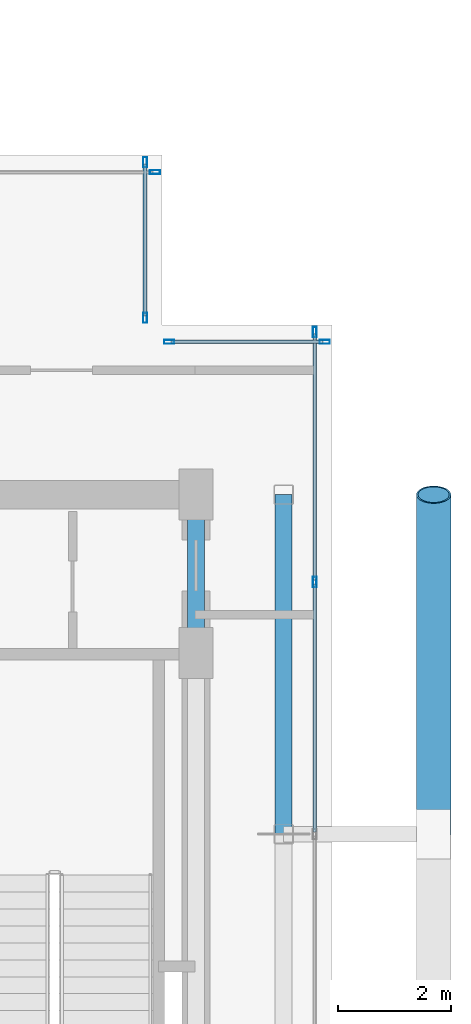
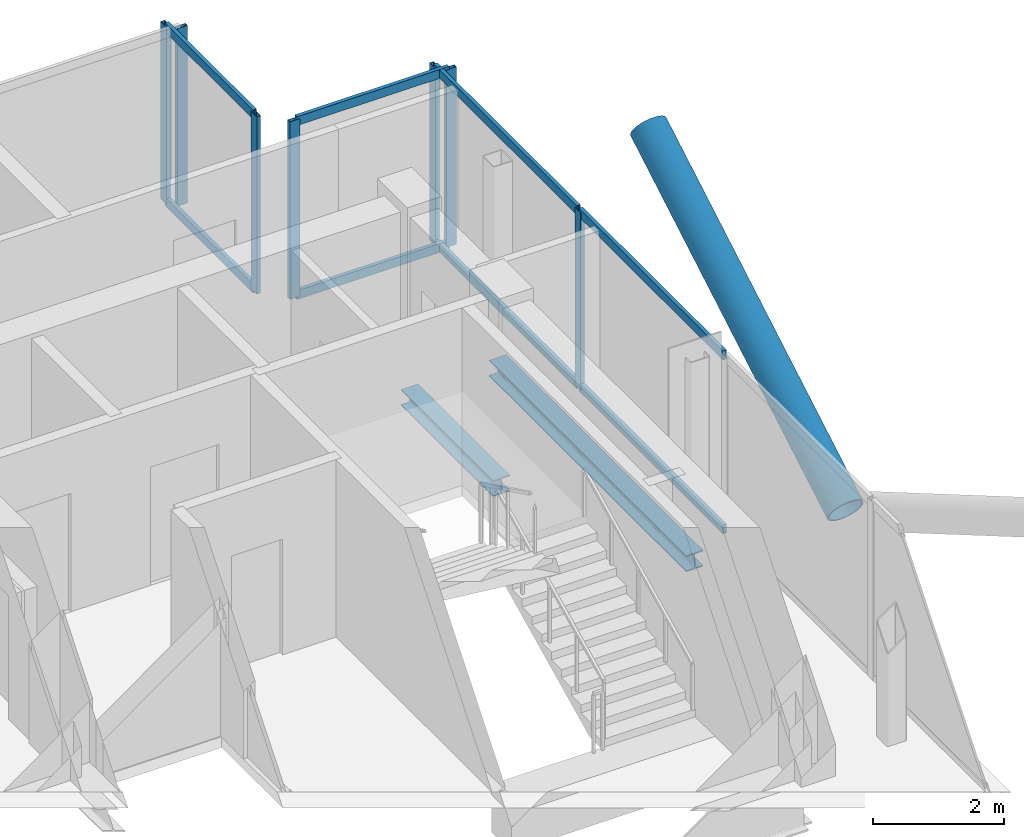
# One storey, part 12 of 18: 16 members, 2 beams, 4 elements without a shape of their own.
"""IFC4 building model written with IfcOpenShell, lengths in metres."""

from ifc_helpers import new_model, si_unit, direction, frame, origin, origin_2d, place, context, subcontext, project, spatial, hollow_rectangle, hollow_circle, i_section, extrude, material, layer, layer_set, material_profile, profile_set, type_object, element, aggregate, save


model = new_model("IFC4")

# Units and contexts
model_context = context("Model", 3, precision=1e-05, world=origin(), true_north=direction((0.0, 1.0)))
body_context = subcontext(model_context, "Body", "Model", "MODEL_VIEW")
ifc_project = project(units=[si_unit("LENGTHUNIT", "METRE"), si_unit("AREAUNIT", "SQUARE_METRE"), si_unit("VOLUMEUNIT", "CUBIC_METRE"), si_unit("PLANEANGLEUNIT", "RADIAN"), si_unit("MASSUNIT", "GRAM", prefix="KILO"), si_unit("THERMODYNAMICTEMPERATUREUNIT", "KELVIN"), si_unit("POWERUNIT", "WATT")], contexts=[model_context])

# Site, building, storey
site_placement = place(None, origin())
site = spatial("IfcSite", under=ifc_project, at=site_placement, CompositionType="ELEMENT")
building_placement = place(site_placement, origin())
building = spatial("IfcBuilding", under=site, at=building_placement, Name="Svarakhadi Broadcast Tower", CompositionType="ELEMENT")
storey_placement = place(building_placement, frame((0.0, 0.0, 288.699951171875)))
storey = spatial("IfcBuildingStorey", under=building, at=storey_placement, Name="L73", CompositionType="ELEMENT", Elevation=288.699951171875)

# Curtain wall, member
ifc_material_1 = material(Name="Anodised Bronze Aluminium AA 6063-T6", Category="aluminium")
ifc_layer = layer(ifc_material_1, 0.179931640625)
ifc_layer_set = layer_set([ifc_layer], Name="Anodised Bronze Aluminium AA 6063-T6")
curtain_wall_type = type_object("IfcCurtainWallType", Name="CW_Sys_05", PredefinedType="NOTDEFINED", material=ifc_layer_set)
curtain_wall_1_placement = place(storey_placement, origin())
curtain_wall_1 = element("IfcCurtainWall", 1, at=curtain_wall_1_placement, inside=storey, type_object=curtain_wall_type, Name="L73 Unitised Facade Curtain Wall 09", PredefinedType="NOTDEFINED")
ifc_material_profile_1 = material_profile(ifc_material_1, hollow_rectangle(XDim=0.070068359375, YDim=0.179931640625, WallThickness=0.005615234375, at=origin_2d()), Name="ALU MULLION 180x70x6")
ifc_profile_set_1 = profile_set([ifc_material_profile_1], Name="Anodised Bronze Aluminium AA 6063-T6")
member_type_1 = type_object("IfcMemberType", Name="CW_Sys_05_Mul", PredefinedType="MULLION", material=ifc_profile_set_1)
member_1_placement = place(storey_placement, frame((32.875, 23.699951171875, 0.0), z_axis=(0.0, 0.0, 1.0), x_axis=(0.0, 1.0, 0.0)))
member_1 = element("IfcMember", 2, at=member_1_placement, type_object=member_type_1, Name="CW-05 mullion 2", PredefinedType="MULLION", context=body_context, shape_type="SweptSolid", body=[
    extrude(hollow_rectangle(XDim=0.070068359375, YDim=0.179931640625, WallThickness=0.005615234375, at=origin_2d()), origin(), (0.0, 0.0, 1.0), 3.300048828125),
])
aggregate(curtain_wall_1, [member_1])

# Curtain wall, members
curtain_wall_2_placement = place(storey_placement, origin())
curtain_wall_2 = element("IfcCurtainWall", 3, at=curtain_wall_2_placement, inside=storey, type_object=curtain_wall_type, Name="L73 Unitised Facade Curtain Wall 10", PredefinedType="NOTDEFINED")
member_2_placement = place(storey_placement, frame((32.699951171875, 23.875, 0.0), z_axis=(0.0, 0.0, 1.0), x_axis=(1.0, 0.0, 0.0)))
member_2 = element("IfcMember", 4, at=member_2_placement, type_object=member_type_1, Name="CW-05 mullion 1", PredefinedType="MULLION", context=body_context, shape_type="SweptSolid", body=[
    extrude(hollow_rectangle(XDim=0.070068359375, YDim=0.179931640625, WallThickness=0.005615234375, at=origin_2d()), origin(), (0.0, 0.0, 1.0), 3.300048828125),
])
member_3_placement = place(storey_placement, frame((32.699951171875, 21.125, 0.0), z_axis=(0.0, 0.0, 1.0), x_axis=(1.0, 0.0, 0.0)))
member_3 = element("IfcMember", 5, at=member_3_placement, type_object=member_type_1, Name="CW-05 mullion 2", PredefinedType="MULLION", context=body_context, shape_type="SweptSolid", body=[
    extrude(hollow_rectangle(XDim=0.070068359375, YDim=0.179931640625, WallThickness=0.005615234375, at=origin_2d()), origin(), (0.0, 0.0, 1.0), 3.300048828125),
])

curtain_wall_3_placement = place(storey_placement, origin())
curtain_wall_3 = element("IfcCurtainWall", 6, at=curtain_wall_3_placement, inside=storey, type_object=curtain_wall_type, Name="L73 Unitised Facade Curtain Wall 11", PredefinedType="NOTDEFINED")
member_4_placement = place(storey_placement, frame((33.125, 20.699951171875, 0.0), z_axis=(0.0, 0.0, 1.0), x_axis=(0.0, 1.0, 0.0)))
member_4 = element("IfcMember", 7, at=member_4_placement, type_object=member_type_1, Name="CW-05 mullion 1", PredefinedType="MULLION", context=body_context, shape_type="SweptSolid", body=[
    extrude(hollow_rectangle(XDim=0.070068359375, YDim=0.179931640625, WallThickness=0.005615234375, at=origin_2d()), origin(), (0.0, 0.0, 1.0), 3.300048828125),
])
member_5_placement = place(storey_placement, frame((35.875, 20.699951171875, 0.0), z_axis=(0.0, 0.0, 1.0), x_axis=(0.0, 1.0, 0.0)))
member_5 = element("IfcMember", 8, at=member_5_placement, type_object=member_type_1, Name="CW-05 mullion 2", PredefinedType="MULLION", context=body_context, shape_type="SweptSolid", body=[
    extrude(hollow_rectangle(XDim=0.070068359375, YDim=0.179931640625, WallThickness=0.005615234375, at=origin_2d()), origin(), (0.0, 0.0, 1.0), 3.300048828125),
])

curtain_wall_4_placement = place(storey_placement, origin())
curtain_wall_4 = element("IfcCurtainWall", 9, at=curtain_wall_4_placement, inside=storey, type_object=curtain_wall_type, Name="L73 Unitised Facade Curtain Wall 12", PredefinedType="NOTDEFINED")
member_6_placement = place(storey_placement, frame((35.699951171875, 20.875, 0.0), z_axis=(0.0, 0.0, 1.0), x_axis=(1.0, 0.0, 0.0)))
member_6 = element("IfcMember", 10, at=member_6_placement, type_object=member_type_1, Name="CW-05 mullion 1", PredefinedType="MULLION", context=body_context, shape_type="SweptSolid", body=[
    extrude(hollow_rectangle(XDim=0.070068359375, YDim=0.179931640625, WallThickness=0.005615234375, at=origin_2d()), origin(), (0.0, 0.0, 1.0), 3.300048828125),
])
member_7_placement = place(storey_placement, frame((35.699951171875, 16.455078125, 0.0), z_axis=(0.0, 0.0, 1.0), x_axis=(1.0, 0.0, 0.0)))
member_7 = element("IfcMember", 11, at=member_7_placement, type_object=member_type_1, Name="CW-05 mullion 2", PredefinedType="MULLION", context=body_context, shape_type="SweptSolid", body=[
    extrude(hollow_rectangle(XDim=0.070068359375, YDim=0.179931640625, WallThickness=0.005615234375, at=origin_2d()), origin(), (0.0, 0.0, 1.0), 3.300048828125),
])

# Member
ifc_material_profile_2 = material_profile(ifc_material_1, hollow_rectangle(XDim=0.06494140625, YDim=0.1650390625, WallThickness=0.0048828125, at=origin_2d()), Name="ALU TRANSOM 165x65x5")
ifc_profile_set_2 = profile_set([ifc_material_profile_2], Name="Anodised Bronze Aluminium AA 6063-T6")
member_type_2 = type_object("IfcMemberType", Name="CW_Sys_05_Trn", PredefinedType="USERDEFINED", material=ifc_profile_set_2)
member_8_placement = place(storey_placement, frame((32.699951171875, 23.840087890625, 0.032470703125), z_axis=(0.0, -1.0, 0.0), x_axis=(1.0, 0.0, 0.0)))
member_8 = element("IfcMember", 12, at=member_8_placement, type_object=member_type_2, Name="CW-05 transom 1.1", ObjectType="TRANSOM", PredefinedType="USERDEFINED", context=body_context, shape_type="SweptSolid", body=[
    extrude(hollow_rectangle(XDim=0.06494140625, YDim=0.1650390625, WallThickness=0.0048828125, at=origin_2d()), origin(), (0.0, 0.0, 1.0), 2.68017578125),
])

member_9_placement = place(storey_placement, frame((32.699951171875, 23.840087890625, 3.267578125), z_axis=(0.0, -1.0, 0.0), x_axis=(1.0, 0.0, 0.0)))
member_9 = element("IfcMember", 13, at=member_9_placement, type_object=member_type_2, Name="CW-05 transom 1.2", ObjectType="TRANSOM", PredefinedType="USERDEFINED", context=body_context, shape_type="SweptSolid", body=[
    extrude(hollow_rectangle(XDim=0.06494140625, YDim=0.1650390625, WallThickness=0.0048828125, at=origin_2d()), origin(), (0.0, 0.0, 1.0), 2.68017578125),
])

aggregate(curtain_wall_2, [member_2, member_3, member_8, member_9])

member_10_placement = place(storey_placement, frame((33.159912109375, 20.699951171875, 0.032470703125), z_axis=(1.0, 0.0, 0.0), x_axis=(0.0, 1.0, 0.0)))
member_10 = element("IfcMember", 14, at=member_10_placement, type_object=member_type_2, Name="CW-05 transom 1.1", ObjectType="TRANSOM", PredefinedType="USERDEFINED", context=body_context, shape_type="SweptSolid", body=[
    extrude(hollow_rectangle(XDim=0.06494140625, YDim=0.1650390625, WallThickness=0.0048828125, at=origin_2d()), origin(), (0.0, 0.0, 1.0), 2.68017578125),
])

member_11_placement = place(storey_placement, frame((33.159912109375, 20.699951171875, 3.267578125), z_axis=(1.0, 0.0, 0.0), x_axis=(0.0, 1.0, 0.0)))
member_11 = element("IfcMember", 15, at=member_11_placement, type_object=member_type_2, Name="CW-05 transom 1.2", ObjectType="TRANSOM", PredefinedType="USERDEFINED", context=body_context, shape_type="SweptSolid", body=[
    extrude(hollow_rectangle(XDim=0.06494140625, YDim=0.1650390625, WallThickness=0.0048828125, at=origin_2d()), origin(), (0.0, 0.0, 1.0), 2.68017578125),
])

aggregate(curtain_wall_3, [member_4, member_5, member_10, member_11])

member_12_placement = place(storey_placement, frame((35.699951171875, 20.840087890625, 0.032470703125), z_axis=(0.0, -1.0, 0.0), x_axis=(1.0, 0.0, 0.0)))
member_12 = element("IfcMember", 16, at=member_12_placement, type_object=member_type_2, Name="CW-05 transom 1.1", ObjectType="TRANSOM", PredefinedType="USERDEFINED", context=body_context, shape_type="SweptSolid", body=[
    extrude(hollow_rectangle(XDim=0.06494140625, YDim=0.1650390625, WallThickness=0.0048828125, at=origin_2d()), origin(), (0.0, 0.0, 1.0), 4.35009765625),
])

member_13_placement = place(storey_placement, frame((35.699951171875, 20.840087890625, 3.267578125), z_axis=(0.0, -1.0, 0.0), x_axis=(1.0, 0.0, 0.0)))
member_13 = element("IfcMember", 17, at=member_13_placement, type_object=member_type_2, Name="CW-05 transom 1.2", ObjectType="TRANSOM", PredefinedType="USERDEFINED", context=body_context, shape_type="SweptSolid", body=[
    extrude(hollow_rectangle(XDim=0.06494140625, YDim=0.1650390625, WallThickness=0.0048828125, at=origin_2d()), origin(), (0.0, 0.0, 1.0), 4.35009765625),
])

member_14_placement = place(storey_placement, frame((35.699951171875, 16.419921875, 0.032470703125), z_axis=(0.0, -1.0, 0.0), x_axis=(1.0, 0.0, 0.0)))
member_14 = element("IfcMember", 18, at=member_14_placement, type_object=member_type_2, Name="CW-05 transom 2.1", ObjectType="TRANSOM", PredefinedType="USERDEFINED", context=body_context, shape_type="SweptSolid", body=[
    extrude(hollow_rectangle(XDim=0.06494140625, YDim=0.1650390625, WallThickness=0.0048828125, at=origin_2d()), origin(), (0.0, 0.0, 1.0), 4.385009765625),
])

member_15_placement = place(storey_placement, frame((35.699951171875, 16.419921875, 3.267578125), z_axis=(0.0, -1.0, 0.0), x_axis=(1.0, 0.0, 0.0)))
member_15 = element("IfcMember", 19, at=member_15_placement, type_object=member_type_2, Name="CW-05 transom 2.2", ObjectType="TRANSOM", PredefinedType="USERDEFINED", context=body_context, shape_type="SweptSolid", body=[
    extrude(hollow_rectangle(XDim=0.06494140625, YDim=0.1650390625, WallThickness=0.0048828125, at=origin_2d()), origin(), (0.0, 0.0, 1.0), 4.385009765625),
])

aggregate(curtain_wall_4, [member_6, member_7, member_12, member_13, member_14, member_15])

ifc_material_2 = material(Name="Steel S460ML (IS 2062 E450BR)", Category="steel")
ifc_material_profile_3 = material_profile(ifc_material_2, hollow_circle(Radius=0.304931640625, WallThickness=0.030029296875, at=origin_2d()), Name="CHS 610x30")
ifc_profile_set_3 = profile_set([ifc_material_profile_3], Name="Steel S460ML (IS 2062 E450BR)")
member_type_3 = type_object("IfcMemberType", Name="Exo_Brace_CHS610", PredefinedType="BRACE", material=ifc_profile_set_3)
member_16_placement = place(storey_placement, frame((37.800048828125, 12.0, -0.33642578125), z_axis=(0.0, 0.863778900898, 0.503871025524), x_axis=(-1.0, 0.0, 0.0)))
element("IfcMember", 20, at=member_16_placement, inside=storey, type_object=member_type_3, Name="L73 Exposed Bronze Exoskeleton Diagonal E05", PredefinedType="BRACE", context=body_context, shape_type="SweptSolid", body=[
    extrude(hollow_circle(Radius=0.304931640625, WallThickness=0.030029296875, at=origin_2d()), origin(), (0.0, 0.0, 1.0), 6.9462890625),
])

# Beams
ifc_material_3 = material(Name="Steel S355J2 (IS 2062 E350C)", Category="steel")
ifc_material_profile_4 = material_profile(ifc_material_3, i_section(OverallWidth=0.300048828125, OverallDepth=0.300048828125, WebThickness=0.010986328125, FlangeThickness=0.01904296875, FilletRadius=0.027099609375, at=origin_2d()), Name="WPB 300x300x117")
ifc_profile_set_4 = profile_set([ifc_material_profile_4], Name="Steel S355J2 (IS 2062 E350C)")
beam_type = type_object("IfcBeamType", Name="Girder_WPB300", PredefinedType="USERDEFINED", material=ifc_profile_set_4)
beam_1_placement = place(storey_placement, frame((33.60009765625, 15.199951171875, -0.349853515625), z_axis=(0.0, 1.0, 0.0), x_axis=(-1.0, 0.0, 0.0)))
element("IfcBeam", 21, at=beam_1_placement, inside=storey, type_object=beam_type, Name="L73 Primary N-S Girder G044", ObjectType="GIRDER", PredefinedType="USERDEFINED", context=body_context, shape_type="SweptSolid", body=[
    extrude(i_section(OverallWidth=0.300048828125, OverallDepth=0.300048828125, WebThickness=0.010986328125, FlangeThickness=0.01904296875, FilletRadius=0.027099609375, at=origin_2d()), origin(), (0.0, 0.0, 1.0), 2.800048828125),
])
beam_2_placement = place(storey_placement, frame((35.14990234375, 12.0, -0.349853515625), z_axis=(0.0, 1.0, 0.0), x_axis=(-1.0, 0.0, 0.0)))
element("IfcBeam", 22, at=beam_2_placement, inside=storey, type_object=beam_type, Name="L73 Primary N-S Girder G046", ObjectType="GIRDER", PredefinedType="USERDEFINED", context=body_context, shape_type="SweptSolid", body=[
    extrude(i_section(OverallWidth=0.300048828125, OverallDepth=0.300048828125, WebThickness=0.010986328125, FlangeThickness=0.01904296875, FilletRadius=0.027099609375, at=origin_2d()), origin(), (0.0, 0.0, 1.0), 6.0),
])

save(model, "model.ifc")
